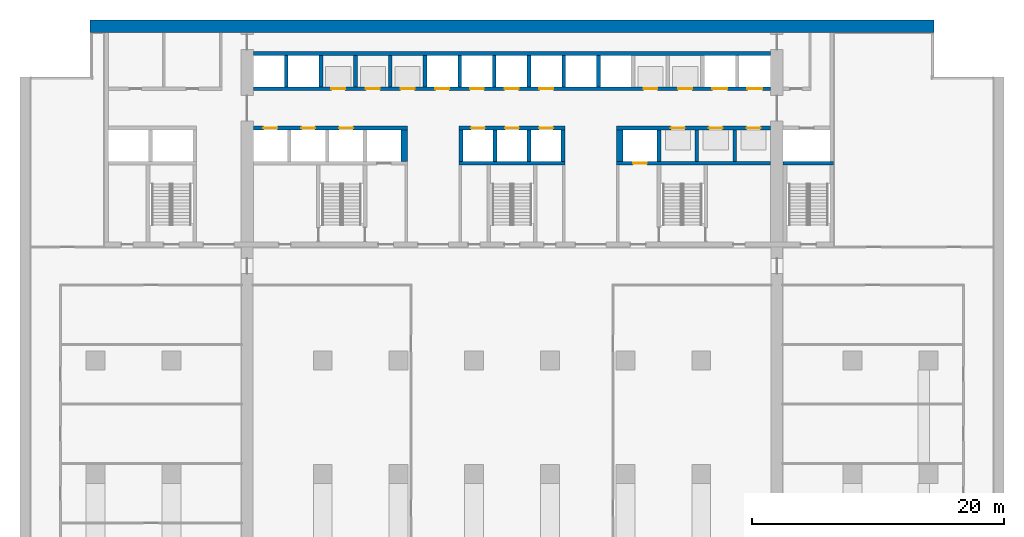
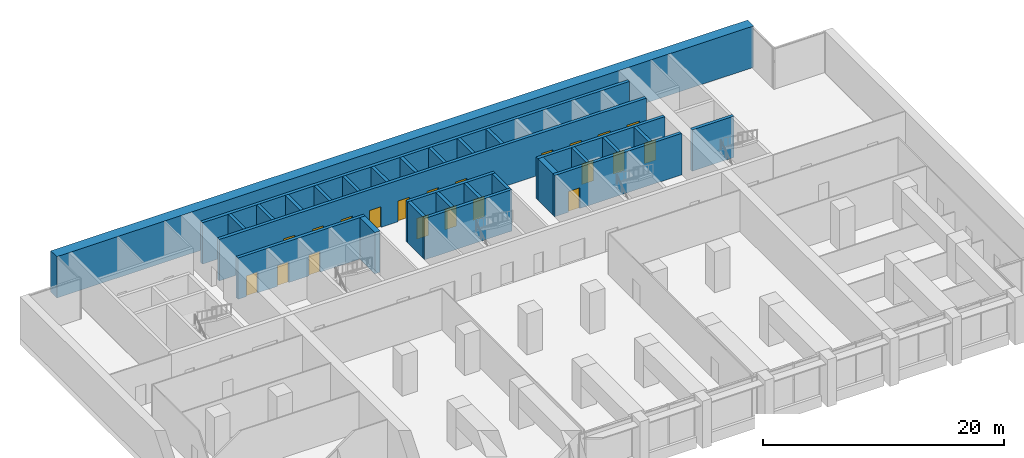
# One storey, part 11 of 18: 28 walls, 21 doors, 21 openings.
"""IFC4 building model written with IfcOpenShell, lengths in metres."""

from ifc_helpers import new_model, si_unit, direction, frame, frame_2d, origin, place, context, subcontext, project, spatial, rectangle, extrude, material, layer, layer_set, type_object, element, fill, save


model = new_model("IFC4")

# Units and contexts
model_context = context("Model", 3, precision=1e-05, world=origin(), true_north=direction((0.0, 1.0)))
body_context = subcontext(model_context, "Body", "Model", "MODEL_VIEW")
ifc_project = project(units=[si_unit("LENGTHUNIT", "METRE"), si_unit("AREAUNIT", "SQUARE_METRE"), si_unit("VOLUMEUNIT", "CUBIC_METRE"), si_unit("PLANEANGLEUNIT", "RADIAN"), si_unit("MASSUNIT", "GRAM", prefix="KILO")], contexts=[model_context])

# Site, building, storey
site_placement = place(None, origin())
site = spatial("IfcSite", under=ifc_project, at=site_placement, CompositionType="ELEMENT")
building_placement = place(site_placement, origin())
building = spatial("IfcBuilding", under=site, at=building_placement, Name="Calvaro Tower", CompositionType="ELEMENT")
storey_placement = place(building_placement, frame((0.0, 0.0, 90.0)))
storey = spatial("IfcBuildingStorey", under=building, at=storey_placement, Name="L22", CompositionType="ELEMENT", Elevation=90.0)

# Wall
ifc_material_1 = material(Name="Concrete C80/95", Category="concrete")
ifc_layer_1 = layer(ifc_material_1, 0.300048828125)
ifc_layer_set_1 = layer_set([ifc_layer_1], Name="Concrete C80/95")
wall_type_1 = type_object("IfcWallType", Name="Core wall C80/95 300", PredefinedType="SHEAR", material=ifc_layer_set_1)
wall_1_placement = place(storey_placement, frame((34.800048828125, 34.64990234375, 0.0), z_axis=(0.0, 0.0, 1.0), x_axis=(1.0, 0.0, 0.0)))
element("IfcWall", 1, at=wall_1_placement, inside=storey, type_object=wall_type_1, Name="Core wall, lift shaft", PredefinedType="SHEAR", context=body_context, shape_type="SweptSolid", body=[
    extrude(rectangle(XDim=8.39990234375, YDim=0.300048828125, at=frame_2d((4.199951171875, 0.0))), origin(), (0.0, 0.0, 1.0), 4.199951171875),
])

# Wall, opening, door
wall_2_placement = place(storey_placement, frame((47.300048828125, 34.64990234375, 0.0), z_axis=(0.0, 0.0, 1.0), x_axis=(1.0, 0.0, 0.0)))
wall_2 = element("IfcWall", 2, at=wall_2_placement, inside=storey, type_object=wall_type_1, Name="Core wall, lift shaft", PredefinedType="SHEAR", context=body_context, shape_type="SweptSolid", body=[
    extrude(rectangle(XDim=12.199951171875, YDim=0.300048828125, at=frame_2d((6.10009765625, 0.0))), origin(), (0.0, 0.0, 1.0), 4.199951171875),
])
opening_1_placement = place(wall_2_placement, frame((1.300048828125, 0.0, 0.0)))
opening_1 = element("IfcOpeningElement", 3, at=opening_1_placement, cuts=wall_2, Name="Opening FF2", PredefinedType="OPENING", context=body_context, shape_type="SweptSolid", body=[
    extrude(rectangle(XDim=1.10009765625, YDim=2.10009765625, at=frame_2d((0.550048828125, 1.050048828125))), frame((0.0, 0.159912109375, 0.0), z_axis=(0.0, -1.0, 0.0), x_axis=(1.0, 0.0, 0.0)), (0.0, 0.0, 1.0), 0.320068359375),
])
ifc_material_2 = material(Name="Stainless steel", Category="steel")
door_type_1 = type_object("IfcDoorType", Name="Landing door 1100 E 60", OperationType="SLIDING_TO_LEFT", PredefinedType="DOOR", material=ifc_material_2)
door_1_placement = place(opening_1_placement, origin())
door_1 = element("IfcDoor", 4, at=door_1_placement, inside=storey, type_object=door_type_1, Name="Landing door FF2", OperationType="SLIDING_TO_LEFT", OverallHeight=2.10009765625, OverallWidth=1.10009765625, PredefinedType="DOOR", context=body_context, shape_type="SweptSolid", body=[
    extrude(rectangle(XDim=1.10009765625, YDim=2.10009765625, at=frame_2d((0.550048828125, 1.050048828125))), frame((0.0, 0.02490234375, 0.0), z_axis=(0.0, -1.0, 0.0), x_axis=(1.0, 0.0, 0.0)), (0.0, 0.0, 1.0), 0.050048828125),
])
fill(opening_1, door_1)

# Wall
wall_3_placement = place(storey_placement, frame((60.5, 34.64990234375, 0.0), z_axis=(0.0, 0.0, 1.0), x_axis=(1.0, 0.0, 0.0)))
element("IfcWall", 5, at=wall_3_placement, inside=storey, type_object=wall_type_1, Name="Core wall, lift shaft", PredefinedType="SHEAR", context=body_context, shape_type="SweptSolid", body=[
    extrude(rectangle(XDim=4.0, YDim=0.300048828125, at=frame_2d((2.0, 0.0))), origin(), (0.0, 0.0, 1.0), 4.199951171875),
])

# Wall, openings, doors
wall_4_placement = place(storey_placement, frame((18.5, 37.449951171875, 0.0), z_axis=(0.0, 0.0, 1.0), x_axis=(1.0, 0.0, 0.0)))
wall_4 = element("IfcWall", 6, at=wall_4_placement, inside=storey, type_object=wall_type_1, Name="Core wall, lift shaft", PredefinedType="SHEAR", context=body_context, shape_type="SweptSolid", body=[
    extrude(rectangle(XDim=12.199951171875, YDim=0.300048828125, at=frame_2d((6.10009765625, 0.0))), origin(), (0.0, 0.0, 1.0), 4.199951171875),
])
opening_2_placement = place(wall_4_placement, frame((0.800048828125, 0.0, 0.0)))
opening_2 = element("IfcOpeningElement", 7, at=opening_2_placement, cuts=wall_4, Name="Opening LR1", PredefinedType="OPENING", context=body_context, shape_type="SweptSolid", body=[
    extrude(rectangle(XDim=1.10009765625, YDim=2.10009765625, at=frame_2d((0.550048828125, 1.050048828125))), frame((0.0, 0.159912109375, 0.0), z_axis=(0.0, -1.0, 0.0), x_axis=(1.0, 0.0, 0.0)), (0.0, 0.0, 1.0), 0.320068359375),
])
opening_3_placement = place(wall_4_placement, frame((3.800048828125, 0.0, 0.0)))
opening_3 = element("IfcOpeningElement", 8, at=opening_3_placement, cuts=wall_4, Name="Opening LR2", PredefinedType="OPENING", context=body_context, shape_type="SweptSolid", body=[
    extrude(rectangle(XDim=1.10009765625, YDim=2.10009765625, at=frame_2d((0.550048828125, 1.050048828125))), frame((0.0, 0.159912109375, 0.0), z_axis=(0.0, -1.0, 0.0), x_axis=(1.0, 0.0, 0.0)), (0.0, 0.0, 1.0), 0.320068359375),
])
opening_4_placement = place(wall_4_placement, frame((6.800048828125, 0.0, 0.0)))
opening_4 = element("IfcOpeningElement", 9, at=opening_4_placement, cuts=wall_4, Name="Opening LR3", PredefinedType="OPENING", context=body_context, shape_type="SweptSolid", body=[
    extrude(rectangle(XDim=1.10009765625, YDim=2.10009765625, at=frame_2d((0.550048828125, 1.050048828125))), frame((0.0, 0.159912109375, 0.0), z_axis=(0.0, -1.0, 0.0), x_axis=(1.0, 0.0, 0.0)), (0.0, 0.0, 1.0), 0.320068359375),
])
door_2_placement = place(opening_2_placement, origin())
door_2 = element("IfcDoor", 10, at=door_2_placement, inside=storey, type_object=door_type_1, Name="Landing door LR1", OperationType="SLIDING_TO_LEFT", OverallHeight=2.10009765625, OverallWidth=1.10009765625, PredefinedType="DOOR", context=body_context, shape_type="SweptSolid", body=[
    extrude(rectangle(XDim=1.10009765625, YDim=2.10009765625, at=frame_2d((0.550048828125, 1.050048828125))), frame((0.0, 0.02490234375, 0.0), z_axis=(0.0, -1.0, 0.0), x_axis=(1.0, 0.0, 0.0)), (0.0, 0.0, 1.0), 0.050048828125),
])
fill(opening_2, door_2)
door_3_placement = place(opening_3_placement, origin())
door_3 = element("IfcDoor", 11, at=door_3_placement, inside=storey, type_object=door_type_1, Name="Landing door LR2", OperationType="SLIDING_TO_LEFT", OverallHeight=2.10009765625, OverallWidth=1.10009765625, PredefinedType="DOOR", context=body_context, shape_type="SweptSolid", body=[
    extrude(rectangle(XDim=1.10009765625, YDim=2.10009765625, at=frame_2d((0.550048828125, 1.050048828125))), frame((0.0, 0.02490234375, 0.0), z_axis=(0.0, -1.0, 0.0), x_axis=(1.0, 0.0, 0.0)), (0.0, 0.0, 1.0), 0.050048828125),
])
fill(opening_3, door_3)
door_4_placement = place(opening_4_placement, origin())
door_4 = element("IfcDoor", 12, at=door_4_placement, inside=storey, type_object=door_type_1, Name="Landing door LR3", OperationType="SLIDING_TO_LEFT", OverallHeight=2.10009765625, OverallWidth=1.10009765625, PredefinedType="DOOR", context=body_context, shape_type="SweptSolid", body=[
    extrude(rectangle(XDim=1.10009765625, YDim=2.10009765625, at=frame_2d((0.550048828125, 1.050048828125))), frame((0.0, 0.02490234375, 0.0), z_axis=(0.0, -1.0, 0.0), x_axis=(1.0, 0.0, 0.0)), (0.0, 0.0, 1.0), 0.050048828125),
])
fill(opening_4, door_4)

wall_5_placement = place(storey_placement, frame((34.800048828125, 37.449951171875, 0.0), z_axis=(0.0, 0.0, 1.0), x_axis=(1.0, 0.0, 0.0)))
wall_5 = element("IfcWall", 13, at=wall_5_placement, inside=storey, type_object=wall_type_1, Name="Core wall, lift shaft", PredefinedType="SHEAR", context=body_context, shape_type="SweptSolid", body=[
    extrude(rectangle(XDim=8.39990234375, YDim=0.300048828125, at=frame_2d((4.199951171875, 0.0))), origin(), (0.0, 0.0, 1.0), 4.199951171875),
])
opening_5_placement = place(wall_5_placement, frame((0.949951171875, 0.0, 0.0)))
opening_5 = element("IfcOpeningElement", 14, at=opening_5_placement, cuts=wall_5, Name="Opening LR4", PredefinedType="OPENING", context=body_context, shape_type="SweptSolid", body=[
    extrude(rectangle(XDim=1.10009765625, YDim=2.10009765625, at=frame_2d((0.550048828125, 1.050048828125))), frame((0.0, 0.159912109375, 0.0), z_axis=(0.0, -1.0, 0.0), x_axis=(1.0, 0.0, 0.0)), (0.0, 0.0, 1.0), 0.320068359375),
])
opening_6_placement = place(wall_5_placement, frame((3.64990234375, 0.0, 0.0)))
opening_6 = element("IfcOpeningElement", 15, at=opening_6_placement, cuts=wall_5, Name="Opening LR5", PredefinedType="OPENING", context=body_context, shape_type="SweptSolid", body=[
    extrude(rectangle(XDim=1.10009765625, YDim=2.10009765625, at=frame_2d((0.550048828125, 1.050048828125))), frame((0.0, 0.159912109375, 0.0), z_axis=(0.0, -1.0, 0.0), x_axis=(1.0, 0.0, 0.0)), (0.0, 0.0, 1.0), 0.320068359375),
])
opening_7_placement = place(wall_5_placement, frame((6.35009765625, 0.0, 0.0)))
opening_7 = element("IfcOpeningElement", 16, at=opening_7_placement, cuts=wall_5, Name="Opening LR6", PredefinedType="OPENING", context=body_context, shape_type="SweptSolid", body=[
    extrude(rectangle(XDim=1.10009765625, YDim=2.10009765625, at=frame_2d((0.550048828125, 1.050048828125))), frame((0.0, 0.159912109375, 0.0), z_axis=(0.0, -1.0, 0.0), x_axis=(1.0, 0.0, 0.0)), (0.0, 0.0, 1.0), 0.320068359375),
])
door_5_placement = place(opening_5_placement, origin())
door_5 = element("IfcDoor", 17, at=door_5_placement, inside=storey, type_object=door_type_1, Name="Landing door LR4", OperationType="SLIDING_TO_LEFT", OverallHeight=2.10009765625, OverallWidth=1.10009765625, PredefinedType="DOOR", context=body_context, shape_type="SweptSolid", body=[
    extrude(rectangle(XDim=1.10009765625, YDim=2.10009765625, at=frame_2d((0.550048828125, 1.050048828125))), frame((0.0, 0.02490234375, 0.0), z_axis=(0.0, -1.0, 0.0), x_axis=(1.0, 0.0, 0.0)), (0.0, 0.0, 1.0), 0.050048828125),
])
fill(opening_5, door_5)
door_6_placement = place(opening_6_placement, origin())
door_6 = element("IfcDoor", 18, at=door_6_placement, inside=storey, type_object=door_type_1, Name="Landing door LR5", OperationType="SLIDING_TO_LEFT", OverallHeight=2.10009765625, OverallWidth=1.10009765625, PredefinedType="DOOR", context=body_context, shape_type="SweptSolid", body=[
    extrude(rectangle(XDim=1.10009765625, YDim=2.10009765625, at=frame_2d((0.550048828125, 1.050048828125))), frame((0.0, 0.02490234375, 0.0), z_axis=(0.0, -1.0, 0.0), x_axis=(1.0, 0.0, 0.0)), (0.0, 0.0, 1.0), 0.050048828125),
])
fill(opening_6, door_6)
door_7_placement = place(opening_7_placement, origin())
door_7 = element("IfcDoor", 19, at=door_7_placement, inside=storey, type_object=door_type_1, Name="Landing door LR6", OperationType="SLIDING_TO_LEFT", OverallHeight=2.10009765625, OverallWidth=1.10009765625, PredefinedType="DOOR", context=body_context, shape_type="SweptSolid", body=[
    extrude(rectangle(XDim=1.10009765625, YDim=2.10009765625, at=frame_2d((0.550048828125, 1.050048828125))), frame((0.0, 0.02490234375, 0.0), z_axis=(0.0, -1.0, 0.0), x_axis=(1.0, 0.0, 0.0)), (0.0, 0.0, 1.0), 0.050048828125),
])
fill(opening_7, door_7)

wall_6_placement = place(storey_placement, frame((47.300048828125, 37.449951171875, 0.0), z_axis=(0.0, 0.0, 1.0), x_axis=(1.0, 0.0, 0.0)))
wall_6 = element("IfcWall", 20, at=wall_6_placement, inside=storey, type_object=wall_type_1, Name="Core wall, lift shaft", PredefinedType="SHEAR", context=body_context, shape_type="SweptSolid", body=[
    extrude(rectangle(XDim=12.199951171875, YDim=0.300048828125, at=frame_2d((6.10009765625, 0.0))), origin(), (0.0, 0.0, 1.0), 4.199951171875),
])
opening_8_placement = place(wall_6_placement, frame((4.300048828125, 0.0, 0.0)))
opening_8 = element("IfcOpeningElement", 21, at=opening_8_placement, cuts=wall_6, Name="Opening MR1", PredefinedType="OPENING", context=body_context, shape_type="SweptSolid", body=[
    extrude(rectangle(XDim=1.10009765625, YDim=2.10009765625, at=frame_2d((0.550048828125, 1.050048828125))), frame((0.0, 0.159912109375, 0.0), z_axis=(0.0, -1.0, 0.0), x_axis=(1.0, 0.0, 0.0)), (0.0, 0.0, 1.0), 0.320068359375),
])
opening_9_placement = place(wall_6_placement, frame((7.300048828125, 0.0, 0.0)))
opening_9 = element("IfcOpeningElement", 22, at=opening_9_placement, cuts=wall_6, Name="Opening MR2", PredefinedType="OPENING", context=body_context, shape_type="SweptSolid", body=[
    extrude(rectangle(XDim=1.10009765625, YDim=2.10009765625, at=frame_2d((0.550048828125, 1.050048828125))), frame((0.0, 0.159912109375, 0.0), z_axis=(0.0, -1.0, 0.0), x_axis=(1.0, 0.0, 0.0)), (0.0, 0.0, 1.0), 0.320068359375),
])
opening_10_placement = place(wall_6_placement, frame((10.300048828125, 0.0, 0.0)))
opening_10 = element("IfcOpeningElement", 23, at=opening_10_placement, cuts=wall_6, Name="Opening MR3", PredefinedType="OPENING", context=body_context, shape_type="SweptSolid", body=[
    extrude(rectangle(XDim=1.10009765625, YDim=2.10009765625, at=frame_2d((0.550048828125, 1.050048828125))), frame((0.0, 0.159912109375, 0.0), z_axis=(0.0, -1.0, 0.0), x_axis=(1.0, 0.0, 0.0)), (0.0, 0.0, 1.0), 0.320068359375),
])
door_8_placement = place(opening_8_placement, origin())
door_8 = element("IfcDoor", 24, at=door_8_placement, inside=storey, type_object=door_type_1, Name="Landing door MR1", OperationType="SLIDING_TO_LEFT", OverallHeight=2.10009765625, OverallWidth=1.10009765625, PredefinedType="DOOR", context=body_context, shape_type="SweptSolid", body=[
    extrude(rectangle(XDim=1.10009765625, YDim=2.10009765625, at=frame_2d((0.550048828125, 1.050048828125))), frame((0.0, 0.02490234375, 0.0), z_axis=(0.0, -1.0, 0.0), x_axis=(1.0, 0.0, 0.0)), (0.0, 0.0, 1.0), 0.050048828125),
])
fill(opening_8, door_8)
door_9_placement = place(opening_9_placement, origin())
door_9 = element("IfcDoor", 25, at=door_9_placement, inside=storey, type_object=door_type_1, Name="Landing door MR2", OperationType="SLIDING_TO_LEFT", OverallHeight=2.10009765625, OverallWidth=1.10009765625, PredefinedType="DOOR", context=body_context, shape_type="SweptSolid", body=[
    extrude(rectangle(XDim=1.10009765625, YDim=2.10009765625, at=frame_2d((0.550048828125, 1.050048828125))), frame((0.0, 0.02490234375, 0.0), z_axis=(0.0, -1.0, 0.0), x_axis=(1.0, 0.0, 0.0)), (0.0, 0.0, 1.0), 0.050048828125),
])
fill(opening_9, door_9)
door_10_placement = place(opening_10_placement, origin())
door_10 = element("IfcDoor", 26, at=door_10_placement, inside=storey, type_object=door_type_1, Name="Landing door MR3", OperationType="SLIDING_TO_LEFT", OverallHeight=2.10009765625, OverallWidth=1.10009765625, PredefinedType="DOOR", context=body_context, shape_type="SweptSolid", body=[
    extrude(rectangle(XDim=1.10009765625, YDim=2.10009765625, at=frame_2d((0.550048828125, 1.050048828125))), frame((0.0, 0.02490234375, 0.0), z_axis=(0.0, -1.0, 0.0), x_axis=(1.0, 0.0, 0.0)), (0.0, 0.0, 1.0), 0.050048828125),
])
fill(opening_10, door_10)

# Walls
for number, where, z_axis, x_axis, name in (
    (27, (34.949951171875, 34.800048828125, 0.0), (0.0, 0.0, 1.0), (0.0, 1.0, 0.0), "Core wall, lift shaft"),
    (28, (43.050048828125, 34.800048828125, 0.0), (0.0, 0.0, 1.0), (0.0, 1.0, 0.0), "Core wall, lift shaft"),
    (29, (50.64990234375, 34.800048828125, 0.0), (0.0, 0.0, 1.0), (0.0, 1.0, 0.0), "Core wall, lift shaft"),
):
    element("IfcWall", number, at=place(storey_placement, frame(where, z_axis=z_axis, x_axis=x_axis)), inside=storey, type_object=wall_type_1, Name=name, PredefinedType="SHEAR", context=body_context, shape_type="SweptSolid", body=[
        extrude(rectangle(XDim=2.5, YDim=0.300048828125, at=frame_2d((1.25, 0.0))), origin(), (0.0, 0.0, 1.0), 4.199951171875),
    ])

# Wall, openings, doors
wall_7_placement = place(storey_placement, frame((18.5, 40.550048828125, 0.0), z_axis=(0.0, 0.0, 1.0), x_axis=(1.0, 0.0, 0.0)))
wall_7 = element("IfcWall", 30, at=wall_7_placement, inside=storey, type_object=wall_type_1, Name="Core wall, lift shaft", PredefinedType="SHEAR", context=body_context, shape_type="SweptSolid", body=[
    extrude(rectangle(XDim=41.0, YDim=0.300048828125, at=frame_2d((20.5, 0.0))), origin(), (0.0, 0.0, 1.0), 4.199951171875),
])
opening_11_placement = place(wall_7_placement, frame((6.175048828125, 0.0, 0.0)))
opening_11 = element("IfcOpeningElement", 31, at=opening_11_placement, cuts=wall_7, Name="Opening MR4", PredefinedType="OPENING", context=body_context, shape_type="SweptSolid", body=[
    extrude(rectangle(XDim=1.10009765625, YDim=2.10009765625, at=frame_2d((0.550048828125, 1.050048828125))), frame((0.0, 0.159912109375, 0.0), z_axis=(0.0, -1.0, 0.0), x_axis=(1.0, 0.0, 0.0)), (0.0, 0.0, 1.0), 0.320068359375),
])
opening_12_placement = place(wall_7_placement, frame((8.925048828125, 0.0, 0.0)))
opening_12 = element("IfcOpeningElement", 32, at=opening_12_placement, cuts=wall_7, Name="Opening MR5", PredefinedType="OPENING", context=body_context, shape_type="SweptSolid", body=[
    extrude(rectangle(XDim=1.10009765625, YDim=2.10009765625, at=frame_2d((0.550048828125, 1.050048828125))), frame((0.0, 0.159912109375, 0.0), z_axis=(0.0, -1.0, 0.0), x_axis=(1.0, 0.0, 0.0)), (0.0, 0.0, 1.0), 0.320068359375),
])
opening_13_placement = place(wall_7_placement, frame((11.675048828125, 0.0, 0.0)))
opening_13 = element("IfcOpeningElement", 33, at=opening_13_placement, cuts=wall_7, Name="Opening MR6", PredefinedType="OPENING", context=body_context, shape_type="SweptSolid", body=[
    extrude(rectangle(XDim=1.10009765625, YDim=2.10009765625, at=frame_2d((0.550048828125, 1.050048828125))), frame((0.0, 0.159912109375, 0.0), z_axis=(0.0, -1.0, 0.0), x_axis=(1.0, 0.0, 0.0)), (0.0, 0.0, 1.0), 0.320068359375),
])
opening_14_placement = place(wall_7_placement, frame((14.425048828125, 0.0, 0.0)))
opening_14 = element("IfcOpeningElement", 34, at=opening_14_placement, cuts=wall_7, Name="Opening LR7", PredefinedType="OPENING", context=body_context, shape_type="SweptSolid", body=[
    extrude(rectangle(XDim=1.10009765625, YDim=2.10009765625, at=frame_2d((0.550048828125, 1.050048828125))), frame((0.0, 0.159912109375, 0.0), z_axis=(0.0, -1.0, 0.0), x_axis=(1.0, 0.0, 0.0)), (0.0, 0.0, 1.0), 0.320068359375),
])
opening_15_placement = place(wall_7_placement, frame((17.175048828125, 0.0, 0.0)))
opening_15 = element("IfcOpeningElement", 35, at=opening_15_placement, cuts=wall_7, Name="Opening LR8", PredefinedType="OPENING", context=body_context, shape_type="SweptSolid", body=[
    extrude(rectangle(XDim=1.10009765625, YDim=2.10009765625, at=frame_2d((0.550048828125, 1.050048828125))), frame((0.0, 0.159912109375, 0.0), z_axis=(0.0, -1.0, 0.0), x_axis=(1.0, 0.0, 0.0)), (0.0, 0.0, 1.0), 0.320068359375),
])
opening_16_placement = place(wall_7_placement, frame((19.925048828125, 0.0, 0.0)))
opening_16 = element("IfcOpeningElement", 36, at=opening_16_placement, cuts=wall_7, Name="Opening LR9", PredefinedType="OPENING", context=body_context, shape_type="SweptSolid", body=[
    extrude(rectangle(XDim=1.10009765625, YDim=2.10009765625, at=frame_2d((0.550048828125, 1.050048828125))), frame((0.0, 0.159912109375, 0.0), z_axis=(0.0, -1.0, 0.0), x_axis=(1.0, 0.0, 0.0)), (0.0, 0.0, 1.0), 0.320068359375),
])
opening_17_placement = place(wall_7_placement, frame((22.675048828125, 0.0, 0.0)))
opening_17 = element("IfcOpeningElement", 37, at=opening_17_placement, cuts=wall_7, Name="Opening LR10", PredefinedType="OPENING", context=body_context, shape_type="SweptSolid", body=[
    extrude(rectangle(XDim=1.10009765625, YDim=2.10009765625, at=frame_2d((0.550048828125, 1.050048828125))), frame((0.0, 0.159912109375, 0.0), z_axis=(0.0, -1.0, 0.0), x_axis=(1.0, 0.0, 0.0)), (0.0, 0.0, 1.0), 0.320068359375),
])
opening_18_placement = place(wall_7_placement, frame((30.925048828125, 0.0, 0.0)))
opening_18 = element("IfcOpeningElement", 38, at=opening_18_placement, cuts=wall_7, Name="Opening MR7", PredefinedType="OPENING", context=body_context, shape_type="SweptSolid", body=[
    extrude(rectangle(XDim=1.10009765625, YDim=2.10009765625, at=frame_2d((0.550048828125, 1.050048828125))), frame((0.0, 0.159912109375, 0.0), z_axis=(0.0, -1.0, 0.0), x_axis=(1.0, 0.0, 0.0)), (0.0, 0.0, 1.0), 0.320068359375),
])
opening_19_placement = place(wall_7_placement, frame((33.675048828125, 0.0, 0.0)))
opening_19 = element("IfcOpeningElement", 39, at=opening_19_placement, cuts=wall_7, Name="Opening MR8", PredefinedType="OPENING", context=body_context, shape_type="SweptSolid", body=[
    extrude(rectangle(XDim=1.10009765625, YDim=2.10009765625, at=frame_2d((0.550048828125, 1.050048828125))), frame((0.0, 0.159912109375, 0.0), z_axis=(0.0, -1.0, 0.0), x_axis=(1.0, 0.0, 0.0)), (0.0, 0.0, 1.0), 0.320068359375),
])
opening_20_placement = place(wall_7_placement, frame((36.375, 0.0, 0.0)))
opening_20 = element("IfcOpeningElement", 40, at=opening_20_placement, cuts=wall_7, Name="Opening SV1", PredefinedType="OPENING", context=body_context, shape_type="SweptSolid", body=[
    extrude(rectangle(XDim=1.199951171875, YDim=2.10009765625, at=frame_2d((0.60009765625, 1.050048828125))), frame((0.0, 0.159912109375, 0.0), z_axis=(0.0, -1.0, 0.0), x_axis=(1.0, 0.0, 0.0)), (0.0, 0.0, 1.0), 0.320068359375),
])
opening_21_placement = place(wall_7_placement, frame((39.14990234375, 0.0, 0.0)))
opening_21 = element("IfcOpeningElement", 41, at=opening_21_placement, cuts=wall_7, Name="Opening SV2", PredefinedType="OPENING", context=body_context, shape_type="SweptSolid", body=[
    extrude(rectangle(XDim=1.199951171875, YDim=2.10009765625, at=frame_2d((0.60009765625, 1.050048828125))), frame((0.0, 0.159912109375, 0.0), z_axis=(0.0, -1.0, 0.0), x_axis=(1.0, 0.0, 0.0)), (0.0, 0.0, 1.0), 0.320068359375),
])
door_11_placement = place(opening_11_placement, origin())
door_11 = element("IfcDoor", 42, at=door_11_placement, inside=storey, type_object=door_type_1, Name="Landing door MR4", OperationType="SLIDING_TO_LEFT", OverallHeight=2.10009765625, OverallWidth=1.10009765625, PredefinedType="DOOR", context=body_context, shape_type="SweptSolid", body=[
    extrude(rectangle(XDim=1.10009765625, YDim=2.10009765625, at=frame_2d((0.550048828125, 1.050048828125))), frame((0.0, 0.02490234375, 0.0), z_axis=(0.0, -1.0, 0.0), x_axis=(1.0, 0.0, 0.0)), (0.0, 0.0, 1.0), 0.050048828125),
])
fill(opening_11, door_11)
door_12_placement = place(opening_12_placement, origin())
door_12 = element("IfcDoor", 43, at=door_12_placement, inside=storey, type_object=door_type_1, Name="Landing door MR5", OperationType="SLIDING_TO_LEFT", OverallHeight=2.10009765625, OverallWidth=1.10009765625, PredefinedType="DOOR", context=body_context, shape_type="SweptSolid", body=[
    extrude(rectangle(XDim=1.10009765625, YDim=2.10009765625, at=frame_2d((0.550048828125, 1.050048828125))), frame((0.0, 0.02490234375, 0.0), z_axis=(0.0, -1.0, 0.0), x_axis=(1.0, 0.0, 0.0)), (0.0, 0.0, 1.0), 0.050048828125),
])
fill(opening_12, door_12)
door_13_placement = place(opening_13_placement, origin())
door_13 = element("IfcDoor", 44, at=door_13_placement, inside=storey, type_object=door_type_1, Name="Landing door MR6", OperationType="SLIDING_TO_LEFT", OverallHeight=2.10009765625, OverallWidth=1.10009765625, PredefinedType="DOOR", context=body_context, shape_type="SweptSolid", body=[
    extrude(rectangle(XDim=1.10009765625, YDim=2.10009765625, at=frame_2d((0.550048828125, 1.050048828125))), frame((0.0, 0.02490234375, 0.0), z_axis=(0.0, -1.0, 0.0), x_axis=(1.0, 0.0, 0.0)), (0.0, 0.0, 1.0), 0.050048828125),
])
fill(opening_13, door_13)
door_14_placement = place(opening_14_placement, origin())
door_14 = element("IfcDoor", 45, at=door_14_placement, inside=storey, type_object=door_type_1, Name="Landing door LR7", OperationType="SLIDING_TO_LEFT", OverallHeight=2.10009765625, OverallWidth=1.10009765625, PredefinedType="DOOR", context=body_context, shape_type="SweptSolid", body=[
    extrude(rectangle(XDim=1.10009765625, YDim=2.10009765625, at=frame_2d((0.550048828125, 1.050048828125))), frame((0.0, 0.02490234375, 0.0), z_axis=(0.0, -1.0, 0.0), x_axis=(1.0, 0.0, 0.0)), (0.0, 0.0, 1.0), 0.050048828125),
])
fill(opening_14, door_14)
door_15_placement = place(opening_15_placement, origin())
door_15 = element("IfcDoor", 46, at=door_15_placement, inside=storey, type_object=door_type_1, Name="Landing door LR8", OperationType="SLIDING_TO_LEFT", OverallHeight=2.10009765625, OverallWidth=1.10009765625, PredefinedType="DOOR", context=body_context, shape_type="SweptSolid", body=[
    extrude(rectangle(XDim=1.10009765625, YDim=2.10009765625, at=frame_2d((0.550048828125, 1.050048828125))), frame((0.0, 0.02490234375, 0.0), z_axis=(0.0, -1.0, 0.0), x_axis=(1.0, 0.0, 0.0)), (0.0, 0.0, 1.0), 0.050048828125),
])
fill(opening_15, door_15)
door_16_placement = place(opening_16_placement, origin())
door_16 = element("IfcDoor", 47, at=door_16_placement, inside=storey, type_object=door_type_1, Name="Landing door LR9", OperationType="SLIDING_TO_LEFT", OverallHeight=2.10009765625, OverallWidth=1.10009765625, PredefinedType="DOOR", context=body_context, shape_type="SweptSolid", body=[
    extrude(rectangle(XDim=1.10009765625, YDim=2.10009765625, at=frame_2d((0.550048828125, 1.050048828125))), frame((0.0, 0.02490234375, 0.0), z_axis=(0.0, -1.0, 0.0), x_axis=(1.0, 0.0, 0.0)), (0.0, 0.0, 1.0), 0.050048828125),
])
fill(opening_16, door_16)
door_17_placement = place(opening_17_placement, origin())
door_17 = element("IfcDoor", 48, at=door_17_placement, inside=storey, type_object=door_type_1, Name="Landing door LR10", OperationType="SLIDING_TO_LEFT", OverallHeight=2.10009765625, OverallWidth=1.10009765625, PredefinedType="DOOR", context=body_context, shape_type="SweptSolid", body=[
    extrude(rectangle(XDim=1.10009765625, YDim=2.10009765625, at=frame_2d((0.550048828125, 1.050048828125))), frame((0.0, 0.02490234375, 0.0), z_axis=(0.0, -1.0, 0.0), x_axis=(1.0, 0.0, 0.0)), (0.0, 0.0, 1.0), 0.050048828125),
])
fill(opening_17, door_17)
door_18_placement = place(opening_18_placement, origin())
door_18 = element("IfcDoor", 49, at=door_18_placement, inside=storey, type_object=door_type_1, Name="Landing door MR7", OperationType="SLIDING_TO_LEFT", OverallHeight=2.10009765625, OverallWidth=1.10009765625, PredefinedType="DOOR", context=body_context, shape_type="SweptSolid", body=[
    extrude(rectangle(XDim=1.10009765625, YDim=2.10009765625, at=frame_2d((0.550048828125, 1.050048828125))), frame((0.0, 0.02490234375, 0.0), z_axis=(0.0, -1.0, 0.0), x_axis=(1.0, 0.0, 0.0)), (0.0, 0.0, 1.0), 0.050048828125),
])
fill(opening_18, door_18)
door_19_placement = place(opening_19_placement, origin())
door_19 = element("IfcDoor", 50, at=door_19_placement, inside=storey, type_object=door_type_1, Name="Landing door MR8", OperationType="SLIDING_TO_LEFT", OverallHeight=2.10009765625, OverallWidth=1.10009765625, PredefinedType="DOOR", context=body_context, shape_type="SweptSolid", body=[
    extrude(rectangle(XDim=1.10009765625, YDim=2.10009765625, at=frame_2d((0.550048828125, 1.050048828125))), frame((0.0, 0.02490234375, 0.0), z_axis=(0.0, -1.0, 0.0), x_axis=(1.0, 0.0, 0.0)), (0.0, 0.0, 1.0), 0.050048828125),
])
fill(opening_19, door_19)
ifc_material_3 = material(Name="Stainless steel", Category="steel")
door_type_2 = type_object("IfcDoorType", Name="Landing door 1200 E 60", OperationType="SLIDING_TO_LEFT", PredefinedType="DOOR", material=ifc_material_3)
door_20_placement = place(opening_20_placement, origin())
door_20 = element("IfcDoor", 51, at=door_20_placement, inside=storey, type_object=door_type_2, Name="Landing door SV1", OperationType="SLIDING_TO_LEFT", OverallHeight=2.10009765625, OverallWidth=1.199951171875, PredefinedType="DOOR", context=body_context, shape_type="SweptSolid", body=[
    extrude(rectangle(XDim=1.199951171875, YDim=2.10009765625, at=frame_2d((0.60009765625, 1.050048828125))), frame((0.0, 0.02490234375, 0.0), z_axis=(0.0, -1.0, 0.0), x_axis=(1.0, 0.0, 0.0)), (0.0, 0.0, 1.0), 0.050048828125),
])
fill(opening_20, door_20)
door_21_placement = place(opening_21_placement, origin())
door_21 = element("IfcDoor", 52, at=door_21_placement, inside=storey, type_object=door_type_2, Name="Landing door SV2", OperationType="SLIDING_TO_LEFT", OverallHeight=2.10009765625, OverallWidth=1.199951171875, PredefinedType="DOOR", context=body_context, shape_type="SweptSolid", body=[
    extrude(rectangle(XDim=1.199951171875, YDim=2.10009765625, at=frame_2d((0.60009765625, 1.050048828125))), frame((0.0, 0.02490234375, 0.0), z_axis=(0.0, -1.0, 0.0), x_axis=(1.0, 0.0, 0.0)), (0.0, 0.0, 1.0), 0.050048828125),
])
fill(opening_21, door_21)

# Walls
wall_8_placement = place(storey_placement, frame((18.5, 43.35009765625, 0.0), z_axis=(0.0, 0.0, 1.0), x_axis=(1.0, 0.0, 0.0)))
element("IfcWall", 53, at=wall_8_placement, inside=storey, type_object=wall_type_1, Name="Core wall, lift shaft", PredefinedType="SHEAR", context=body_context, shape_type="SweptSolid", body=[
    extrude(rectangle(XDim=41.0, YDim=0.300048828125, at=frame_2d((20.5, 0.0))), origin(), (0.0, 0.0, 1.0), 4.199951171875),
])
for number, where, z_axis, x_axis, name in (
    (54, (37.64990234375, 34.800048828125, 0.0), (0.0, 0.0, 1.0), (0.0, 1.0, 0.0), "Core wall, lift shaft"),
    (55, (40.35009765625, 34.800048828125, 0.0), (0.0, 0.0, 1.0), (0.0, 1.0, 0.0), "Core wall, lift shaft"),
    (56, (53.64990234375, 34.800048828125, 0.0), (0.0, 0.0, 1.0), (0.0, 1.0, 0.0), "Core wall, lift shaft"),
    (57, (56.64990234375, 34.800048828125, 0.0), (0.0, 0.0, 1.0), (0.0, 1.0, 0.0), "Core wall, lift shaft"),
    (58, (21.10009765625, 40.699951171875, 0.0), (0.0, 0.0, 1.0), (0.0, 1.0, 0.0), "Core wall, lift shaft"),
    (59, (23.85009765625, 40.699951171875, 0.0), (0.0, 0.0, 1.0), (0.0, 1.0, 0.0), "Core wall, lift shaft"),
    (60, (26.60009765625, 40.699951171875, 0.0), (0.0, 0.0, 1.0), (0.0, 1.0, 0.0), "Core wall, lift shaft"),
    (61, (29.35009765625, 40.699951171875, 0.0), (0.0, 0.0, 1.0), (0.0, 1.0, 0.0), "Core wall, lift shaft"),
    (62, (32.10009765625, 40.699951171875, 0.0), (0.0, 0.0, 1.0), (0.0, 1.0, 0.0), "Core wall, lift shaft"),
    (63, (34.85009765625, 40.699951171875, 0.0), (0.0, 0.0, 1.0), (0.0, 1.0, 0.0), "Core wall, lift shaft"),
    (64, (37.60009765625, 40.699951171875, 0.0), (0.0, 0.0, 1.0), (0.0, 1.0, 0.0), "Core wall, lift shaft"),
    (65, (40.35009765625, 40.699951171875, 0.0), (0.0, 0.0, 1.0), (0.0, 1.0, 0.0), "Core wall, lift shaft"),
    (66, (43.10009765625, 40.699951171875, 0.0), (0.0, 0.0, 1.0), (0.0, 1.0, 0.0), "Core wall, lift shaft"),
    (67, (45.85009765625, 40.699951171875, 0.0), (0.0, 0.0, 1.0), (0.0, 1.0, 0.0), "Core wall, lift shaft"),
):
    element("IfcWall", number, at=place(storey_placement, frame(where, z_axis=z_axis, x_axis=x_axis)), inside=storey, type_object=wall_type_1, Name=name, PredefinedType="SHEAR", context=body_context, shape_type="SweptSolid", body=[
        extrude(rectangle(XDim=2.5, YDim=0.300048828125, at=frame_2d((1.25, 0.0))), origin(), (0.0, 0.0, 1.0), 4.199951171875),
    ])
ifc_material_4 = material(Name="Concrete C80/95", Category="concrete")
ifc_layer_2 = layer(ifc_material_4, 0.5)
ifc_layer_set_2 = layer_set([ifc_layer_2], Name="Concrete C80/95")
wall_type_2 = type_object("IfcWallType", Name="Core wall C80/95 500", PredefinedType="SHEAR", material=ifc_layer_set_2)
for number, where, z_axis, x_axis, name in (
    (68, (30.449951171875, 34.800048828125, 0.0), (0.0, 0.0, 1.0), (0.0, 1.0, 0.0), "Core wall, lift shaft"),
    (69, (47.550048828125, 34.800048828125, 0.0), (0.0, 0.0, 1.0), (0.0, 1.0, 0.0), "Core wall, lift shaft"),
):
    element("IfcWall", number, at=place(storey_placement, frame(where, z_axis=z_axis, x_axis=x_axis)), inside=storey, type_object=wall_type_2, Name=name, PredefinedType="SHEAR", context=body_context, shape_type="SweptSolid", body=[
        extrude(rectangle(XDim=2.5, YDim=0.5, at=frame_2d((1.25, 0.0))), origin(), (0.0, 0.0, 1.0), 4.199951171875),
    ])
ifc_material_5 = material(Name="Concrete C80/95", Category="concrete")
ifc_layer_3 = layer(ifc_material_5, 1.0)
ifc_layer_set_3 = layer_set([ifc_layer_3], Name="Concrete C80/95")
wall_type_3 = type_object("IfcWallType", Name="Rear core wall 1000 C80/95", PredefinedType="SHEAR", material=ifc_layer_set_3)
wall_9_placement = place(storey_placement, frame((5.550048828125, 45.5, 0.0), z_axis=(0.0, 0.0, 1.0), x_axis=(1.0, 0.0, 0.0)))
element("IfcWall", 70, at=wall_9_placement, inside=storey, type_object=wall_type_3, Name="North core wall", PredefinedType="SHEAR", context=body_context, shape_type="SweptSolid", body=[
    extrude(rectangle(XDim=66.89990234375, YDim=1.0, at=frame_2d((33.449951171875, 0.0))), origin(), (0.0, 0.0, 1.0), 4.199951171875),
])

save(model, "model.ifc")
